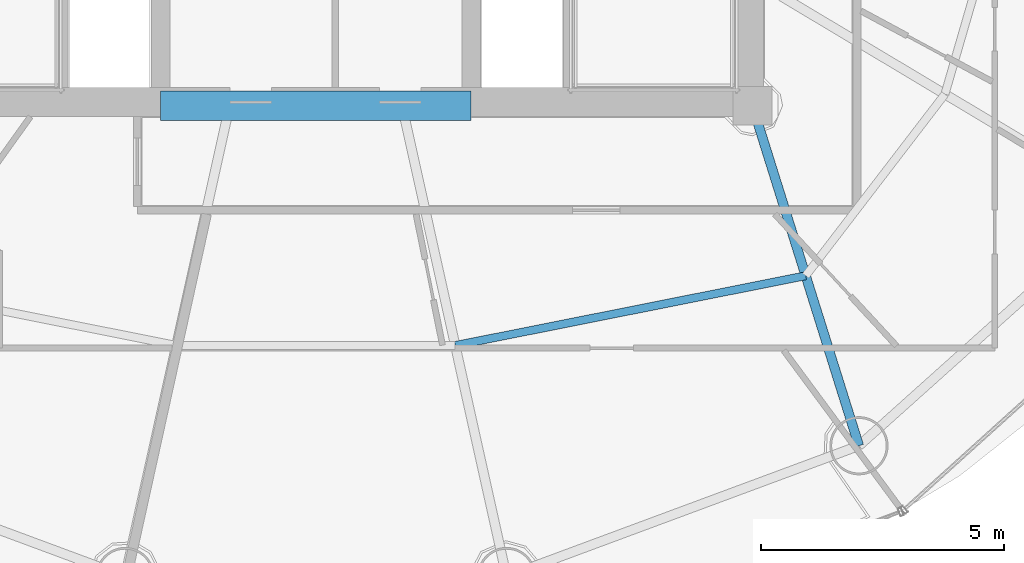
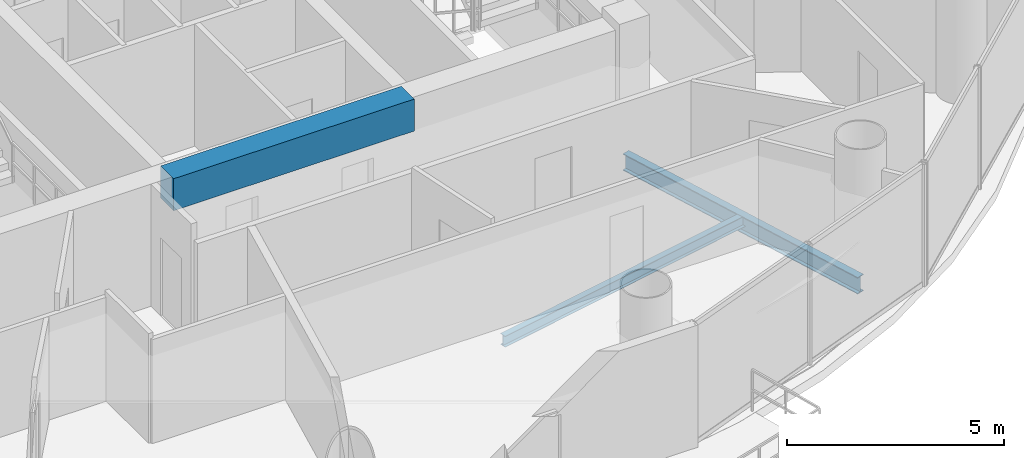
# One storey, part 6 of 26: 3 beams.
"""IFC4 building model written with IfcOpenShell, lengths in metres."""

import ifcopenshell
import ifcopenshell.guid

model = None  # the IFC model being written
_history = None  # IfcOwnerHistory: only IFC2X3 demands one
_inside = {}  # id of a spatial element -> (the spatial element, [elements in it])
_under = {}  # id of a project, library or spatial element -> (it, [spatial elements below it])
_declared = {}  # id of a project -> (the project, [libraries it declares])
_typed = {}  # id of a type object -> (the type object, [elements of that type])
_made_of = {}  # id of a material, layer set ... -> (it, [elements and type objects made of it])


def new_model(schema):
    """Start an empty IFC model of exactly this schema.

    Asked for "IFC4X3", IfcOpenShell would pick the latest addendum, in which some entities
    have other attributes; the version numbers below select the first issue.
    IFC2X3 requires an IfcOwnerHistory on every rooted entity: one is made here for all.
    """
    global model, _history
    if schema == "IFC4X3":
        model = ifcopenshell.file(schema_version=(4, 3, 0, 0))
    else:
        model = ifcopenshell.file(schema=schema)
    _inside.clear()
    _under.clear()
    _declared.clear()
    _typed.clear()
    _made_of.clear()
    _history = None
    if model.schema == "IFC2X3":
        org = make("IfcOrganization", Name="unknown")
        user = make(
            "IfcPersonAndOrganization",
            ThePerson=make("IfcPerson", FamilyName="unknown"),
            TheOrganization=org,
        )
        app = make(
            "IfcApplication",
            ApplicationDeveloper=org,
            Version="unknown",
            ApplicationFullName="unknown",
            ApplicationIdentifier="unknown",
        )
        _history = make(
            "IfcOwnerHistory",
            OwningUser=user,
            OwningApplication=app,
            ChangeAction="ADDED",
            CreationDate=0,
        )
    return model


def make(cls, **values):
    """One entity of the class cls with the attributes given. An attribute that is None is left unset."""
    return model.create_entity(
        cls, **{name: value for name, value in values.items() if value is not None}
    )


def rooted(cls, **values):
    """An entity with a GlobalId (a new one), such as an element, a storey or a relation."""
    return make(cls, GlobalId=ifcopenshell.guid.new(), OwnerHistory=_history, **values)


def si_unit(unit_type, name, prefix=None):
    """IfcSIUnit, for example si_unit("LENGTHUNIT", "METRE", prefix="MILLI")."""
    return make("IfcSIUnit", UnitType=unit_type, Prefix=prefix, Name=name)


def assignment(units):
    """IfcUnitAssignment: the units of a project."""
    return None if units is None else make("IfcUnitAssignment", Units=units)


def point(xyz):
    """IfcCartesianPoint."""
    return None if xyz is None else make("IfcCartesianPoint", Coordinates=xyz)


def direction(xyz):
    """IfcDirection."""
    return None if xyz is None else make("IfcDirection", DirectionRatios=xyz)


def frame(location, z_axis=None, x_axis=None):
    """IfcAxis2Placement3D, a coordinate frame: its origin and axes. An axis left out is left unset."""
    return make(
        "IfcAxis2Placement3D",
        Location=point(location),
        Axis=direction(z_axis),
        RefDirection=direction(x_axis),
    )


def frame_2d(location, x_axis=None):
    """IfcAxis2Placement2D, a coordinate frame in the plane: its origin and x axis."""
    return make(
        "IfcAxis2Placement2D", Location=point(location), RefDirection=direction(x_axis)
    )


def origin():
    """The frame at (0, 0, 0) with its axes left unset."""
    return frame((0.0, 0.0, 0.0))


def origin_2d():
    """The frame at (0, 0) in the plane with its x axis left unset."""
    return frame_2d((0.0, 0.0))


def place(relative_to, where):
    """IfcLocalPlacement: puts the frame where relative to a parent placement (None: the world)."""
    return make(
        "IfcLocalPlacement", PlacementRelTo=relative_to, RelativePlacement=where
    )


def context(
    kind, dimensions, precision=None, world=None, true_north=None, identifier=None
):
    """IfcGeometricRepresentationContext, for example the 3D "Model" context."""
    return make(
        "IfcGeometricRepresentationContext",
        ContextIdentifier=identifier,
        ContextType=kind,
        CoordinateSpaceDimension=dimensions,
        Precision=precision,
        WorldCoordinateSystem=world,
        TrueNorth=true_north,
    )


def subcontext(parent, identifier, kind, view, scale=None):
    """IfcGeometricRepresentationSubContext, for example "Body" below "Model"."""
    return make(
        "IfcGeometricRepresentationSubContext",
        ContextIdentifier=identifier,
        ContextType=kind,
        ParentContext=parent,
        TargetScale=scale,
        TargetView=view,
    )


def project(units=None, contexts=None):
    """IfcProject with its units and contexts."""
    return rooted(
        "IfcProject",
        Name="project",
        RepresentationContexts=contexts,
        UnitsInContext=assignment(units),
    )


def spatial(cls, under=None, at=None, **own):
    """A site, building, storey or space (cls), placed at a placement, below another one or the project."""
    s = rooted(cls, ObjectPlacement=at, **own)
    if under is not None:
        _under.setdefault(under.id(), (under, []))[1].append(s)
    return s


def profile(cls, at=None, kind="AREA", **sizes):
    """A parametric profile (cls). Its sizes go by their IFC names, for example OverallWidth=200.0."""
    return make(cls, ProfileType=kind, Position=at, **sizes)


def rectangle(**sizes):
    """IfcRectangleProfileDef."""
    return profile("IfcRectangleProfileDef", **sizes)


def i_section(**sizes):
    """IfcIShapeProfileDef."""
    return profile("IfcIShapeProfileDef", **sizes)


def extrude(swept, where, along, depth):
    """IfcExtrudedAreaSolid: the profile swept, set in the frame where, extruded along a direction by depth."""
    return make(
        "IfcExtrudedAreaSolid",
        SweptArea=swept,
        Position=where,
        ExtrudedDirection=direction(along),
        Depth=depth,
    )


def shape(context_of_items, identifier, shape_type, items):
    """IfcShapeRepresentation: the items that make up one representation, for example the "Body"."""
    return make(
        "IfcShapeRepresentation",
        ContextOfItems=context_of_items,
        RepresentationIdentifier=identifier,
        RepresentationType=shape_type,
        Items=items,
    )


def material(Name=None, Category=None):
    """IfcMaterial."""
    return make("IfcMaterial", Name=Name, Category=Category)


def material_profile(
    of_material, cross_section, Name=None, Category=None, Priority=None
):
    """IfcMaterialProfile: a cross section and its material."""
    return make(
        "IfcMaterialProfile",
        Name=Name,
        Material=of_material,
        Profile=cross_section,
        Priority=Priority,
        Category=Category,
    )


def profile_set(profiles, Name=None, composite=None):
    """IfcMaterialProfileSet."""
    return make(
        "IfcMaterialProfileSet",
        Name=Name,
        MaterialProfiles=profiles,
        CompositeProfile=composite,
    )


def made_of(thing, what):
    """Note that an element or type object is made of a material, layer set ...; save() writes the relation."""
    if what is not None:
        _made_of.setdefault(what.id(), (what, []))[1].append(thing)
    return thing


def type_object(cls, material=None, **own):
    """A type object (cls), such as IfcWallType, which elements share."""
    return made_of(rooted(cls, **own), material)


def element(
    cls,
    number,
    at=None,
    inside=None,
    cuts=None,
    type_object=None,
    material=None,
    context=None,
    identifier="Body",
    shape_type=None,
    held_by="IfcProductDefinitionShape",
    body=None,
    shapes=None,
    **own,
):
    """One element of the class cls, such as IfcWall. Its Tag is "e" and its number.

    at: its placement. inside: the storey or other place that contains it. cuts: it is an
    opening in that element (IfcRelVoidsElement). A single representation is given by context,
    identifier, shape_type and body (its items); several are given by shapes. held_by: the class
    of the entity that holds the representations. save() writes the other relations.
    """
    e = rooted(cls, Tag="e%d" % number, ObjectPlacement=at, **own)
    if body is not None:
        shapes = [shape(context, identifier, shape_type, body)]
    if shapes is not None:
        e.Representation = make(held_by, Representations=shapes)
    if inside is not None:
        _inside.setdefault(inside.id(), (inside, []))[1].append(e)
    if cuts is not None:
        rooted(
            "IfcRelVoidsElement", RelatingBuildingElement=cuts, RelatedOpeningElement=e
        )
    if type_object is not None:
        _typed.setdefault(type_object.id(), (type_object, []))[1].append(e)
    return made_of(e, material)


def aggregate(whole, parts):
    """IfcRelAggregates: a whole, such as a stair, and the parts it consists of."""
    return rooted("IfcRelAggregates", RelatingObject=whole, RelatedObjects=parts)


def save(model, path):
    """Write the relations noted so far, then the file.

    IfcRelAggregates (storeys below a building ...), IfcRelContainedInSpatialStructure (elements
    in a storey), IfcRelDefinesByType, IfcRelAssociatesMaterial and IfcRelDeclares: one each for
    every whole, place, type object, material and project.
    """
    for whole, parts in _under.values():
        aggregate(whole, parts)
    for where, things in _inside.values():
        rooted(
            "IfcRelContainedInSpatialStructure",
            RelatedElements=things,
            RelatingStructure=where,
        )
    for kind, things in _typed.values():
        rooted("IfcRelDefinesByType", RelatedObjects=things, RelatingType=kind)
    for what, things in _made_of.values():
        rooted("IfcRelAssociatesMaterial", RelatedObjects=things, RelatingMaterial=what)
    for by, libraries in _declared.values():
        rooted("IfcRelDeclares", RelatingContext=by, RelatedDefinitions=libraries)
    model.write(path)


model = new_model("IFC4")

# Units and contexts
model_context = context("Model", 3, precision=1e-05, world=origin(), true_north=direction((-0.2419218956, 0.970295726276)))
body_context = subcontext(model_context, "Body", "Model", "MODEL_VIEW")
ifc_project = project(units=[si_unit("LENGTHUNIT", "METRE"), si_unit("AREAUNIT", "SQUARE_METRE"), si_unit("VOLUMEUNIT", "CUBIC_METRE"), si_unit("PLANEANGLEUNIT", "RADIAN"), si_unit("MASSUNIT", "GRAM", prefix="KILO")], contexts=[model_context])

# Site, building, storey
site_placement = place(None, origin())
site = spatial("IfcSite", under=ifc_project, at=site_placement, CompositionType="ELEMENT")
building_placement = place(site_placement, origin())
building = spatial("IfcBuilding", under=site, at=building_placement, Name="Cobrevalo Terracotta Tower", CompositionType="ELEMENT")
storey_placement = place(building_placement, frame((0.0, 0.0, 220.800048828125)))
storey = spatial("IfcBuildingStorey", under=building, at=storey_placement, Name="L58", CompositionType="ELEMENT", Elevation=220.800048828125)

# Beams
ifc_material_1 = material(Name="Concrete C60", Category="concrete")
ifc_material_profile_1 = material_profile(ifc_material_1, rectangle(XDim=0.60009765625, YDim=0.89990234375, at=origin_2d()), Name="RC CB 600x900")
ifc_profile_set_1 = profile_set([ifc_material_profile_1], Name="Concrete C60")
beam_type_1 = type_object("IfcBeamType", Name="Structural Beam RC CB 600x900 (Concrete C60)", PredefinedType="BEAM", material=ifc_profile_set_1)
beam_1_placement = place(storey_placement, frame((34.800048828125, 18.800048828125, 2.98486328125), z_axis=(1.0, 0.0, 0.0), x_axis=(0.0, 1.0, 0.0)))
element("IfcBeam", 1, at=beam_1_placement, inside=storey, type_object=beam_type_1, Name="L58 core coupling beam 1", PredefinedType="BEAM", context=body_context, shape_type="SweptSolid", body=[
    extrude(rectangle(XDim=0.60009765625, YDim=0.89990234375, at=origin_2d()), origin(), (0.0, 0.0, 1.0), 6.39990234375),
])
ifc_material_2 = material(Name="Steel S355", Category="steel")
ifc_material_profile_2 = material_profile(ifc_material_2, i_section(OverallWidth=0.194091796875, OverallDepth=0.468994140625, WebThickness=0.011474609375, FlangeThickness=0.0205078125, at=origin_2d()), Name="W 460x106")
ifc_profile_set_2 = profile_set([ifc_material_profile_2], Name="Steel S355")
beam_type_2 = type_object("IfcBeamType", Name="Structural Beam W 460x106 (Steel S355)", PredefinedType="BEAM", material=ifc_profile_set_2)
beam_2_placement = place(storey_placement, frame((49.19482421875, 11.7919921875, -0.49951171875), z_axis=(-0.298871212691, 0.954293454984, 0.0), x_axis=(-0.954293454984, -0.298871212691, 0.0)))
element("IfcBeam", 2, at=beam_2_placement, inside=storey, type_object=beam_type_2, Name="L58 radial floor girder 14", PredefinedType="BEAM", context=body_context, shape_type="SweptSolid", body=[
    extrude(i_section(OverallWidth=0.194091796875, OverallDepth=0.468994140625, WebThickness=0.011474609375, FlangeThickness=0.0205078125, at=origin_2d()), origin(), (0.0, 0.0, 1.0), 7.34375),
])
ifc_material_profile_3 = material_profile(ifc_material_2, i_section(OverallWidth=0.1650390625, OverallDepth=0.31005859375, WebThickness=0.005859375, FlangeThickness=0.009765625, at=origin_2d()), Name="W 310x38.7")
ifc_profile_set_3 = profile_set([ifc_material_profile_3], Name="Steel S355")
beam_type_3 = type_object("IfcBeamType", Name="Structural Joist W 310x38.7 (Steel S355)", PredefinedType="JOIST", material=ifc_profile_set_3)
beam_3_placement = place(storey_placement, frame((40.873779296875, 13.8583984375, -0.420166015625), z_axis=(0.980768907748, 0.195172614871, 0.0), x_axis=(-0.195172614871, 0.980768907748, 0.0)))
element("IfcBeam", 3, at=beam_3_placement, inside=storey, type_object=beam_type_3, Name="L58 circumferential secondary floor joist 13", PredefinedType="JOIST", context=body_context, shape_type="SweptSolid", body=[
    extrude(i_section(OverallWidth=0.1650390625, OverallDepth=0.31005859375, WebThickness=0.005859375, FlangeThickness=0.009765625, at=origin_2d()), origin(), (0.0, 0.0, 1.0), 7.365234375),
])

save(model, "model.ifc")
